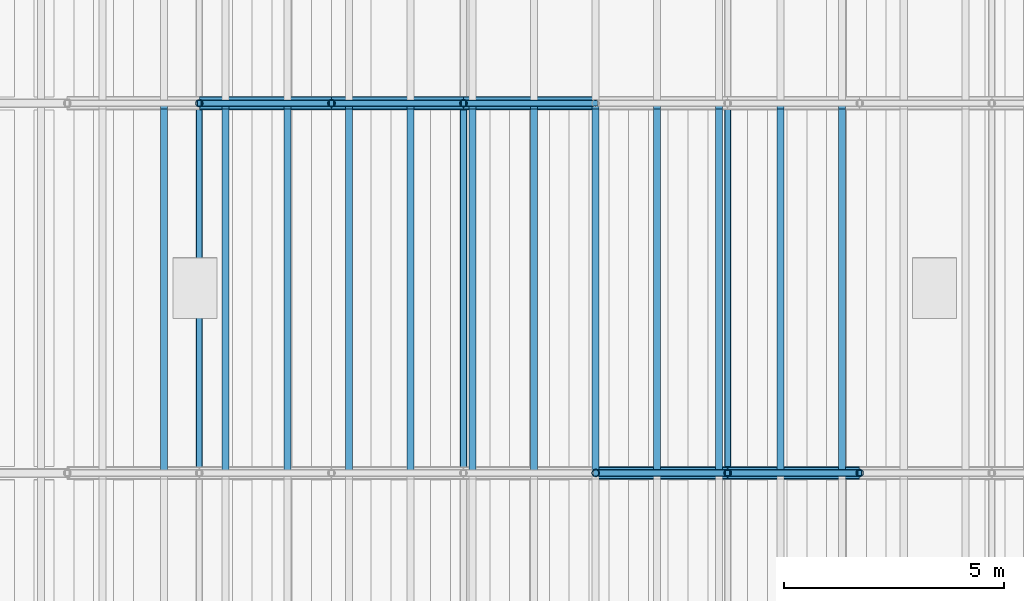
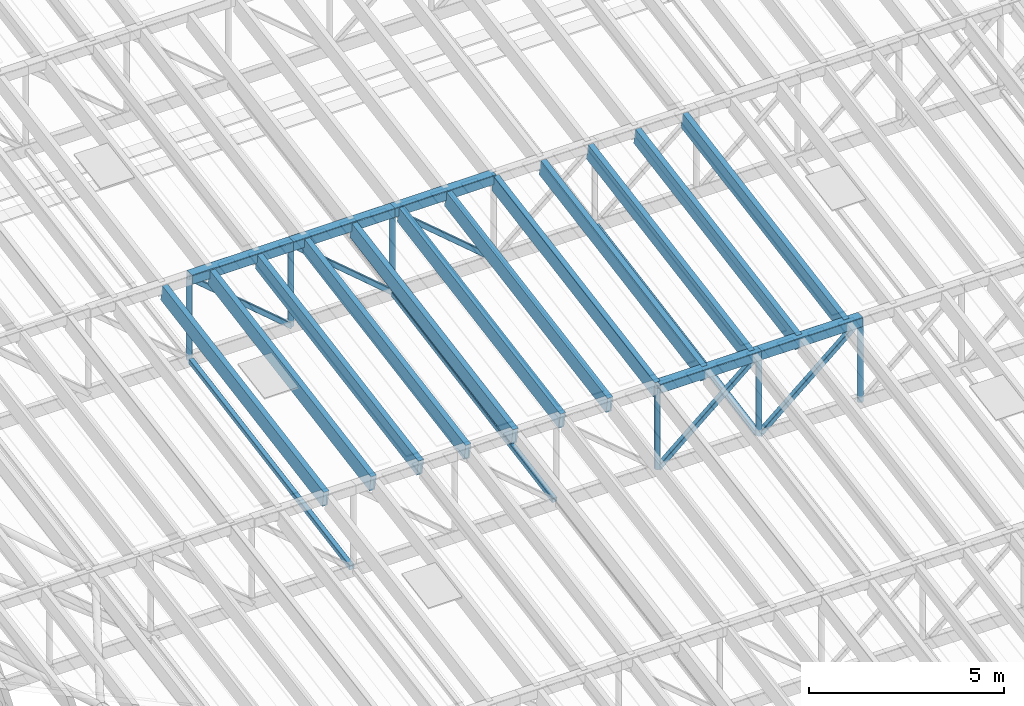
# One storey, part 27 of 91: 31 members.
"""IFC4 building model written with IfcOpenShell, lengths in metres."""

from ifc_helpers import new_model, si_unit, direction, frame, origin, origin_2d, place, context, subcontext, project, spatial, rectangle, hollow_rectangle, hollow_circle, extrude, material, material_profile, profile_set, type_object, element, save


model = new_model("IFC4")

# Units and contexts
model_context = context("Model", 3, precision=1e-05, world=origin(), true_north=direction((0.0, 1.0)))
body_context = subcontext(model_context, "Body", "Model", "MODEL_VIEW")
ifc_project = project(units=[si_unit("LENGTHUNIT", "METRE"), si_unit("AREAUNIT", "SQUARE_METRE"), si_unit("VOLUMEUNIT", "CUBIC_METRE"), si_unit("PLANEANGLEUNIT", "RADIAN"), si_unit("MASSUNIT", "GRAM", prefix="KILO")], contexts=[model_context])

# Site, building, storey
site_placement = place(None, origin())
site = spatial("IfcSite", under=ifc_project, at=site_placement, CompositionType="ELEMENT")
building_placement = place(site_placement, origin())
building = spatial("IfcBuilding", under=site, at=building_placement, Name="Almond Square Museum", CompositionType="ELEMENT")
storey_placement = place(building_placement, frame((0.0, 0.0, 30.0)))
storey = spatial("IfcBuildingStorey", under=building, at=storey_placement, Name="L05", CompositionType="ELEMENT", Elevation=30.0)

# Members
ifc_material_1 = material(Name="Glulam GL28h", Category="wood")
ifc_material_profile_1 = material_profile(ifc_material_1, rectangle(XDim=0.159912109375, YDim=0.5, at=origin_2d()))
ifc_profile_set_1 = profile_set([ifc_material_profile_1], Name="Glulam GL28h")
member_type_1 = type_object("IfcMemberType", Name="Glulam rafter GL28h 160x500", PredefinedType="RAFTER", material=ifc_profile_set_1)
for number, where, z_axis, x_axis, name in (
    (1, (118.0, 84.030029296875, 12.02978515625), (0.0, 0.985026646226, 0.172402164214), (-1.0, 0.0, 0.0), "Hall rafter 5.9"),
    (2, (119.39990234375, 84.030029296875, 12.02978515625), (0.0, 0.985026646226, 0.172402164214), (-1.0, 0.0, 0.0), "Hall rafter 5.10"),
    (3, (120.800048828125, 84.030029296875, 12.02978515625), (0.0, 0.985026646226, 0.172402164214), (-1.0, 0.0, 0.0), "Hall rafter 5.11"),
    (4, (122.199951171875, 84.030029296875, 12.02978515625), (0.0, 0.985026646226, 0.172402164214), (-1.0, 0.0, 0.0), "Hall rafter 5.12"),
    (5, (123.60009765625, 84.030029296875, 12.02978515625), (0.0, 0.985026646226, 0.172402164214), (-1.0, 0.0, 0.0), "Hall rafter 5.13"),
    (6, (125.0, 84.030029296875, 12.02978515625), (0.0, 0.985026646226, 0.172402164214), (-1.0, 0.0, 0.0), "Hall rafter 5.14"),
    (7, (126.39990234375, 84.030029296875, 12.02978515625), (0.0, 0.985026646226, 0.172402164214), (-1.0, 0.0, 0.0), "Hall rafter 5.15"),
    (8, (127.800048828125, 84.030029296875, 12.02978515625), (0.0, 0.985026646226, 0.172402164214), (-1.0, 0.0, 0.0), "Hall rafter 5.16"),
    (9, (129.199951171875, 84.030029296875, 12.02978515625), (0.0, 0.985026646226, 0.172402164214), (-1.0, 0.0, 0.0), "Hall rafter 5.17"),
    (10, (130.60009765625, 84.030029296875, 12.02978515625), (0.0, 0.985026646226, 0.172402164214), (-1.0, 0.0, 0.0), "Hall rafter 5.18"),
    (11, (132.0, 84.030029296875, 12.02978515625), (0.0, 0.985026646226, 0.172402164214), (-1.0, 0.0, 0.0), "Hall rafter 5.19"),
    (12, (133.39990234375, 84.030029296875, 12.02978515625), (0.0, 0.985026646226, 0.172402164214), (-1.0, 0.0, 0.0), "Hall rafter 5.20"),
):
    element("IfcMember", number, at=place(storey_placement, frame(where, z_axis=z_axis, x_axis=x_axis)), inside=storey, type_object=member_type_1, Name=name, PredefinedType="RAFTER", context=body_context, shape_type="SweptSolid", body=[
        extrude(rectangle(XDim=0.159912109375, YDim=0.5, at=origin_2d()), origin(), (0.0, 0.0, 1.0), 8.408935546875),
    ])
ifc_material_2 = material(Name="Structural steel S355", Category="steel")
ifc_material_profile_2 = material_profile(ifc_material_2, hollow_rectangle(XDim=0.300048828125, YDim=0.300048828125, WallThickness=0.012451171875, InnerFilletRadius=0.02490234375, OuterFilletRadius=0.03759765625, at=origin_2d()))
ifc_profile_set_2 = profile_set([ifc_material_profile_2], Name="Structural steel S355")
member_type_2 = type_object("IfcMemberType", Name="Truss chord SHS 300x300x12.5", PredefinedType="CHORD", material=ifc_profile_set_2)
for number, where, z_axis, x_axis, name in (
    (13, (127.800048828125, 84.0, 12.12841796875), (1.0, 0.0, 0.0), (0.0, 1.0, 0.0), "TR-05 top chord 8"),
    (14, (130.800048828125, 84.0, 12.12841796875), (1.0, 0.0, 0.0), (0.0, 1.0, 0.0), "TR-05 top chord 9"),
    (15, (118.800048828125, 92.39990234375, 13.598388671875), (1.0, 0.0, 0.0), (0.0, 1.0, 0.0), "TR-06 top chord 5"),
    (16, (121.800048828125, 92.39990234375, 13.598388671875), (1.0, 0.0, 0.0), (0.0, 1.0, 0.0), "TR-06 top chord 6"),
    (17, (124.800048828125, 92.39990234375, 13.598388671875), (1.0, 0.0, 0.0), (0.0, 1.0, 0.0), "TR-06 top chord 7"),
):
    element("IfcMember", number, at=place(storey_placement, frame(where, z_axis=z_axis, x_axis=x_axis)), inside=storey, type_object=member_type_2, Name=name, PredefinedType="CHORD", context=body_context, shape_type="SweptSolid", body=[
        extrude(hollow_rectangle(XDim=0.300048828125, YDim=0.300048828125, WallThickness=0.012451171875, InnerFilletRadius=0.02490234375, OuterFilletRadius=0.03759765625, at=origin_2d()), origin(), (0.0, 0.0, 1.0), 3.0),
    ])
ifc_material_3 = material(Name="Structural steel S355", Category="steel")
ifc_material_profile_3 = material_profile(ifc_material_3, hollow_rectangle(XDim=0.14990234375, YDim=0.14990234375, WallThickness=0.008056640625, InnerFilletRadius=0.011962890625, OuterFilletRadius=0.02001953125, at=origin_2d()))
ifc_profile_set_3 = profile_set([ifc_material_profile_3], Name="Structural steel S355")
member_type_3 = type_object("IfcMemberType", Name="Truss diagonal SHS 150x150x8", PredefinedType="BRACE", material=ifc_profile_set_3)
for number, where, z_axis, x_axis, name in (
    (18, (127.800048828125, 84.0, 9.580078125), (0.762147404437, 0.0, 0.647403532513), (0.0, 1.0, 0.0), "TR-05 diagonal 8"),
    (19, (130.800048828125, 84.0, 9.580078125), (0.762147404437, 0.0, 0.647403532513), (0.0, 1.0, 0.0), "TR-05 diagonal 9"),
    (20, (118.800048828125, 92.39990234375, 13.598388671875), (0.762147404437, 0.0, -0.647403532513), (0.0, 1.0, 0.0), "TR-06 diagonal 5"),
    (21, (121.800048828125, 92.39990234375, 13.598388671875), (0.762147404437, 0.0, -0.647403532513), (0.0, 1.0, 0.0), "TR-06 diagonal 6"),
    (22, (124.800048828125, 92.39990234375, 13.598388671875), (0.762147404437, 0.0, -0.647403532513), (0.0, 1.0, 0.0), "TR-06 diagonal 7"),
):
    element("IfcMember", number, at=place(storey_placement, frame(where, z_axis=z_axis, x_axis=x_axis)), inside=storey, type_object=member_type_3, Name=name, PredefinedType="BRACE", context=body_context, shape_type="SweptSolid", body=[
        extrude(hollow_rectangle(XDim=0.14990234375, YDim=0.14990234375, WallThickness=0.008056640625, InnerFilletRadius=0.011962890625, OuterFilletRadius=0.02001953125, at=origin_2d()), origin(), (0.0, 0.0, 1.0), 3.936279296875),
    ])
ifc_material_4 = material(Name="Structural steel S355", Category="steel")
ifc_material_profile_4 = material_profile(ifc_material_4, hollow_circle(Radius=0.084228515625, WallThickness=0.008056640625, at=origin_2d()))
ifc_profile_set_4 = profile_set([ifc_material_profile_4], Name="Structural steel S355")
member_type_4 = type_object("IfcMemberType", Name="Truss post CHS 168.3x8", PredefinedType="POST", material=ifc_profile_set_4)
for number, where, z_axis, x_axis, name in (
    (23, (127.800048828125, 84.0, 9.580078125), (0.0, 0.0, 1.0), (1.0, 0.0, 0.0), "TR-05 post 8"),
    (24, (130.800048828125, 84.0, 9.580078125), (0.0, 0.0, 1.0), (1.0, 0.0, 0.0), "TR-05 post 9"),
    (25, (133.800048828125, 84.0, 9.580078125), (0.0, 0.0, 1.0), (1.0, 0.0, 0.0), "TR-05 post 10"),
    (26, (118.800048828125, 92.39990234375, 11.050048828125), (0.0, 0.0, 1.0), (1.0, 0.0, 0.0), "TR-06 post 5"),
    (27, (121.800048828125, 92.39990234375, 11.050048828125), (0.0, 0.0, 1.0), (1.0, 0.0, 0.0), "TR-06 post 6"),
    (28, (124.800048828125, 92.39990234375, 11.050048828125), (0.0, 0.0, 1.0), (1.0, 0.0, 0.0), "TR-06 post 7"),
):
    element("IfcMember", number, at=place(storey_placement, frame(where, z_axis=z_axis, x_axis=x_axis)), inside=storey, type_object=member_type_4, Name=name, PredefinedType="POST", context=body_context, shape_type="SweptSolid", body=[
        extrude(hollow_circle(Radius=0.084228515625, WallThickness=0.008056640625, at=origin_2d()), origin(), (0.0, 0.0, 1.0), 2.54833984375),
    ])
ifc_material_5 = material(Name="Structural steel S355", Category="steel")
ifc_material_profile_5 = material_profile(ifc_material_5, hollow_rectangle(XDim=0.14990234375, YDim=0.14990234375, WallThickness=0.008056640625, InnerFilletRadius=0.011962890625, OuterFilletRadius=0.02001953125, at=origin_2d()))
ifc_profile_set_5 = profile_set([ifc_material_profile_5], Name="Structural steel S355")
member_type_5 = type_object("IfcMemberType", Name="Truss tie SHS 150x150x8", PredefinedType="MEMBER", material=ifc_profile_set_5)
for number, where, z_axis, x_axis, name in (
    (29, (118.800048828125, 84.074951171875, 9.580078125), (0.0, 0.984494486924, 0.175415521596), (-1.0, 0.0, 0.0), "Hall bay 5 tie 3"),
    (30, (124.800048828125, 84.074951171875, 9.580078125), (0.0, 0.984494486924, 0.175415521596), (-1.0, 0.0, 0.0), "Hall bay 5 tie 4"),
    (31, (130.800048828125, 84.074951171875, 9.580078125), (0.0, 0.984494486924, 0.175415521596), (-1.0, 0.0, 0.0), "Hall bay 5 tie 5"),
):
    element("IfcMember", number, at=place(storey_placement, frame(where, z_axis=z_axis, x_axis=x_axis)), inside=storey, type_object=member_type_5, Name=name, PredefinedType="MEMBER", context=body_context, shape_type="SweptSolid", body=[
        extrude(hollow_rectangle(XDim=0.14990234375, YDim=0.14990234375, WallThickness=0.008056640625, InnerFilletRadius=0.011962890625, OuterFilletRadius=0.02001953125, at=origin_2d()), origin(), (0.0, 0.0, 1.0), 8.3798828125),
    ])

save(model, "model.ifc")
